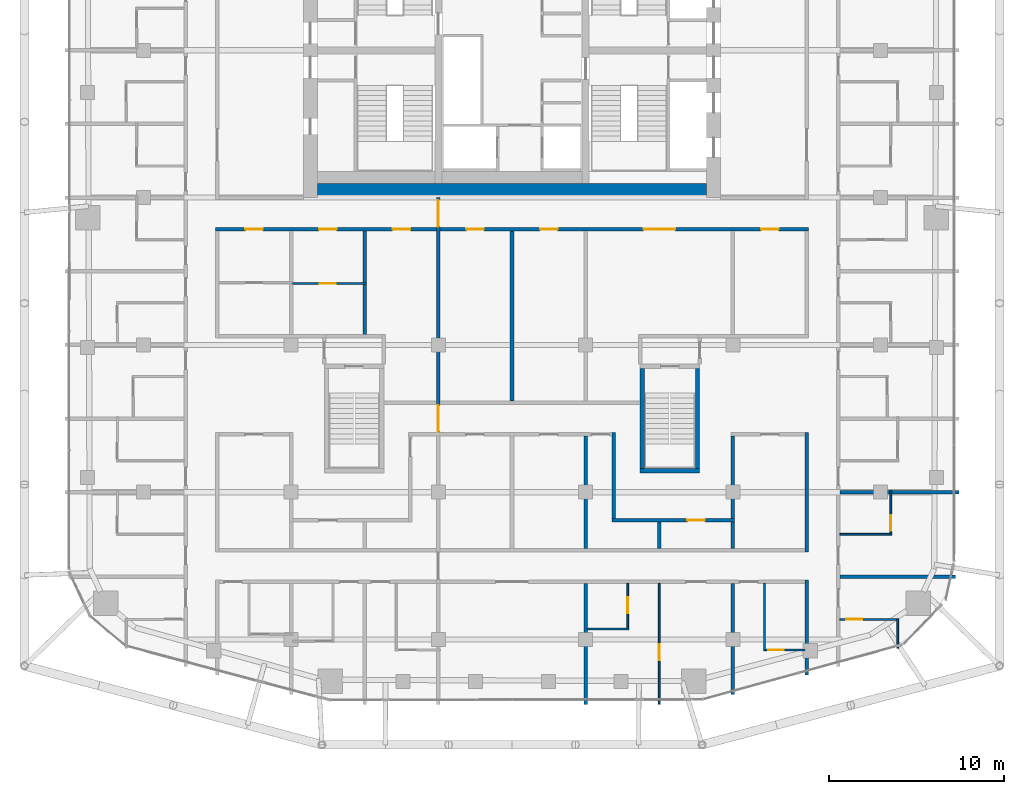
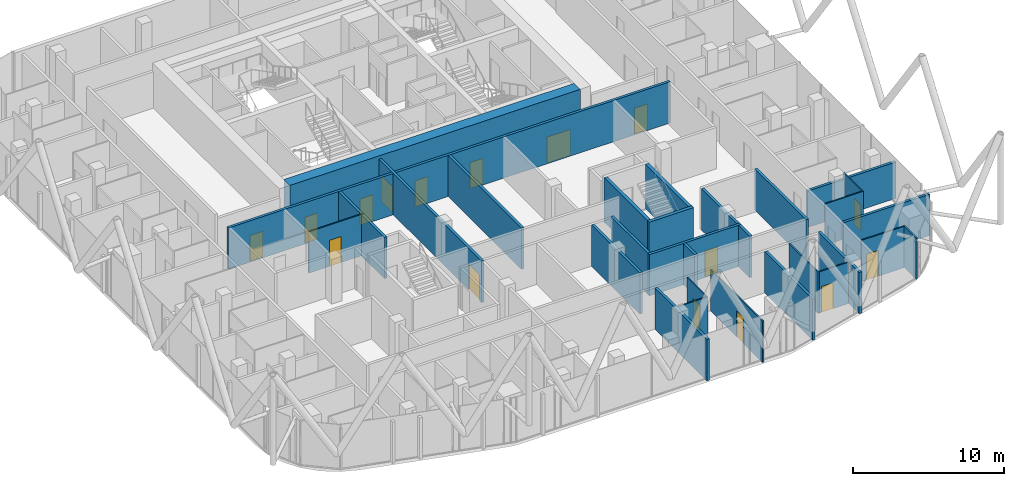
# One storey, part 25 of 31: 30 walls, 16 doors, 16 openings.
"""IFC4 building model written with IfcOpenShell, lengths in metres."""

from ifc_helpers import new_model, si_unit, direction, frame, frame_2d, origin, place, context, subcontext, project, spatial, rectangle, extrude, material, layer, layer_set, type_object, element, fill, save


model = new_model("IFC4")

# Units and contexts
model_context = context("Model", 3, precision=1e-05, world=origin(), true_north=direction((0.0, 1.0)))
body_context = subcontext(model_context, "Body", "Model", "MODEL_VIEW")
ifc_project = project(units=[si_unit("LENGTHUNIT", "METRE"), si_unit("AREAUNIT", "SQUARE_METRE"), si_unit("VOLUMEUNIT", "CUBIC_METRE"), si_unit("PLANEANGLEUNIT", "RADIAN"), si_unit("MASSUNIT", "GRAM", prefix="KILO")], contexts=[model_context])

# Site, building, storey
site_placement = place(None, origin())
site = spatial("IfcSite", under=ifc_project, at=site_placement, CompositionType="ELEMENT")
building_placement = place(site_placement, origin())
building = spatial("IfcBuilding", under=site, at=building_placement, Name="Marenta Gate Hotel Tower", CompositionType="ELEMENT")
storey_placement = place(building_placement, frame((0.0, 0.0, 191.300048828125)))
storey = spatial("IfcBuildingStorey", under=building, at=storey_placement, Name="L43", CompositionType="ELEMENT", Elevation=191.300048828125)

# Wall, openings, doors
ifc_material_1 = material(Name="Concrete blockwork", Category="masonry")
ifc_layer_1 = layer(ifc_material_1, 0.199951171875)
ifc_layer_set_1 = layer_set([ifc_layer_1], Name="Concrete blockwork")
wall_type_1 = type_object("IfcWallType", Name="Compartment wall 200 REI 180", PredefinedType="PARTITIONING", material=ifc_layer_set_1)
wall_1_placement = place(storey_placement, frame((-4.199951171875, -13.60009765625, 0.0), z_axis=(0.0, 0.0, 1.0), x_axis=(0.0, 1.0, 0.0)))
wall_1 = element("IfcWall", 1, at=wall_1_placement, inside=storey, type_object=wall_type_1, Name="L43-PTN-W081", PredefinedType="PARTITIONING", context=body_context, shape_type="SweptSolid", body=[
    extrude(rectangle(XDim=13.60009765625, YDim=0.199951171875, at=frame_2d((6.800048828125, 0.0))), origin(), (0.0, 0.0, 1.0), 3.33984375),
])
opening_1_placement = place(wall_1_placement, frame((11.949951171875, 0.0, 0.0)))
opening_1 = element("IfcOpeningElement", 2, at=opening_1_placement, cuts=wall_1, Name="Opening G15-FD2", PredefinedType="OPENING", context=body_context, shape_type="SweptSolid", body=[
    extrude(rectangle(XDim=1.5, YDim=2.10009765625, at=frame_2d((0.75, 1.050048828125))), frame((0.0, 0.10009765625, 0.0), z_axis=(0.0, -1.0, 0.0), x_axis=(1.0, 0.0, 0.0)), (0.0, 0.0, 1.0), 0.199951171875),
])
opening_2_placement = place(wall_1_placement, frame((0.25, 0.0, 0.0)))
opening_2 = element("IfcOpeningElement", 3, at=opening_2_placement, cuts=wall_1, Name="Opening G15-FD3", PredefinedType="OPENING", context=body_context, shape_type="SweptSolid", body=[
    extrude(rectangle(XDim=1.5, YDim=2.10009765625, at=frame_2d((0.75, 1.050048828125))), frame((0.0, 0.10009765625, 0.0), z_axis=(0.0, -1.0, 0.0), x_axis=(1.0, 0.0, 0.0)), (0.0, 0.0, 1.0), 0.199951171875),
])
ifc_material_2 = material(Name="Hollow steel door set", Category="steel")
door_type_1 = type_object("IfcDoorType", Name="Compartment fire door 1500x2100 EI 60", OperationType="DOUBLE_DOOR_DOUBLE_SWING", PredefinedType="DOOR", material=ifc_material_2)
door_1_placement = place(opening_1_placement, origin())
door_1 = element("IfcDoor", 4, at=door_1_placement, inside=storey, type_object=door_type_1, Name="L43-PD-FD02", OperationType="DOUBLE_DOOR_DOUBLE_SWING", OverallHeight=2.10009765625, OverallWidth=1.5, PredefinedType="DOOR", context=body_context, shape_type="SweptSolid", body=[
    extrude(rectangle(XDim=1.5, YDim=2.10009765625, at=frame_2d((0.75, 1.050048828125))), frame((0.0, 0.02490234375, 0.0), z_axis=(0.0, -1.0, 0.0), x_axis=(1.0, 0.0, 0.0)), (0.0, 0.0, 1.0), 0.050048828125),
])
fill(opening_1, door_1)
door_2_placement = place(opening_2_placement, origin())
door_2 = element("IfcDoor", 5, at=door_2_placement, inside=storey, type_object=door_type_1, Name="L43-PD-FD03", OperationType="DOUBLE_DOOR_DOUBLE_SWING", OverallHeight=2.10009765625, OverallWidth=1.5, PredefinedType="DOOR", context=body_context, shape_type="SweptSolid", body=[
    extrude(rectangle(XDim=1.5, YDim=2.10009765625, at=frame_2d((0.75, 1.050048828125))), frame((0.0, 0.02490234375, 0.0), z_axis=(0.0, -1.0, 0.0), x_axis=(1.0, 0.0, 0.0)), (0.0, 0.0, 1.0), 0.050048828125),
])
fill(opening_2, door_2)

# Walls
ifc_material_3 = material(Name="Concrete C60", Category="concrete")
ifc_layer_2 = layer(ifc_material_3, 0.800048828125)
ifc_layer_set_2 = layer_set([ifc_layer_2], Name="Concrete C60")
wall_type_2 = type_object("IfcWallType", Name="Core wall 800 C60", PredefinedType="SHEAR", material=ifc_layer_set_2)
wall_2_placement = place(storey_placement, frame((-11.10009765625, 0.39990234375, 0.0), z_axis=(0.0, 0.0, 1.0), x_axis=(1.0, 0.0, 0.0)))
element("IfcWall", 6, at=wall_2_placement, inside=storey, type_object=wall_type_2, Name="L43-CORE-S", PredefinedType="SHEAR", context=body_context, shape_type="SweptSolid", body=[
    extrude(rectangle(XDim=22.2001953125, YDim=0.800048828125, at=frame_2d((11.10009765625, 0.0))), origin(), (0.0, 0.0, 1.0), 3.599853515625),
])
ifc_material_4 = material(Name="Concrete C40", Category="concrete")
ifc_layer_3 = layer(ifc_material_4, 0.25)
ifc_layer_set_3 = layer_set([ifc_layer_3], Name="Concrete C40")
wall_type_3 = type_object("IfcWallType", Name="Remote stair enclosure wall 250 REI 180", PredefinedType="SHEAR", material=ifc_layer_set_3)
wall_3_placement = place(storey_placement, frame((7.300048828125, -15.574951171875, 0.099853515625), z_axis=(0.0, 0.0, 1.0), x_axis=(1.0, 0.0, 0.0)))
element("IfcWall", 7, at=wall_3_placement, inside=storey, type_object=wall_type_3, Name="L43-RS-Z3-2-W1", PredefinedType="SHEAR", context=body_context, shape_type="SweptSolid", body=[
    extrude(rectangle(XDim=3.39990234375, YDim=0.25, at=frame_2d((1.699951171875, 0.0))), origin(), (0.0, 0.0, 1.0), 3.60009765625),
])
for number, where, z_axis, x_axis, name in (
    (8, (7.425048828125, -15.449951171875, 0.099853515625), (0.0, 0.0, 1.0), (0.0, 1.0, 0.0), "L43-RS-Z3-2-W3"),
    (9, (10.574951171875, -15.449951171875, 0.099853515625), (0.0, 0.0, 1.0), (0.0, 1.0, 0.0), "L43-RS-Z3-2-W4"),
):
    element("IfcWall", number, at=place(storey_placement, frame(where, z_axis=z_axis, x_axis=x_axis)), inside=storey, type_object=wall_type_3, Name=name, PredefinedType="SHEAR", context=body_context, shape_type="SweptSolid", body=[
        extrude(rectangle(XDim=5.699951171875, YDim=0.25, at=frame_2d((2.85009765625, 0.0))), origin(), (0.0, 0.0, 1.0), 3.60009765625),
    ])

# Wall, openings, doors
ifc_material_5 = material(Name="Concrete blockwork", Category="masonry")
ifc_layer_4 = layer(ifc_material_5, 0.199951171875)
ifc_layer_set_4 = layer_set([ifc_layer_4], Name="Concrete blockwork")
wall_type_4 = type_object("IfcWallType", Name="Room corridor wall 200 EI 120", PredefinedType="PARTITIONING", material=ifc_layer_set_4)
wall_4_placement = place(storey_placement, frame((-16.89990234375, -1.800048828125, 0.0), z_axis=(0.0, 0.0, 1.0), x_axis=(1.0, 0.0, 0.0)))
wall_4 = element("IfcWall", 10, at=wall_4_placement, inside=storey, type_object=wall_type_4, Name="L43-PTN-W072", PredefinedType="PARTITIONING", context=body_context, shape_type="SweptSolid", body=[
    extrude(rectangle(XDim=33.7998046875, YDim=0.199951171875, at=frame_2d((16.89990234375, 0.0))), origin(), (0.0, 0.0, 1.0), 3.33984375),
])
opening_3_placement = place(wall_4_placement, frame((1.699951171875, 0.0, 0.0)))
opening_3 = element("IfcOpeningElement", 11, at=opening_3_placement, cuts=wall_4, Name="Opening G15-01", PredefinedType="OPENING", context=body_context, shape_type="SweptSolid", body=[
    extrude(rectangle(XDim=1.0, YDim=2.10009765625, at=frame_2d((0.5, 1.050048828125))), frame((0.0, 0.10009765625, 0.0), z_axis=(0.0, -1.0, 0.0), x_axis=(1.0, 0.0, 0.0)), (0.0, 0.0, 1.0), 0.199951171875),
])
opening_4_placement = place(wall_4_placement, frame((5.89990234375, 0.0, 0.0)))
opening_4 = element("IfcOpeningElement", 12, at=opening_4_placement, cuts=wall_4, Name="Opening G15-03", PredefinedType="OPENING", context=body_context, shape_type="SweptSolid", body=[
    extrude(rectangle(XDim=1.0, YDim=2.10009765625, at=frame_2d((0.5, 1.050048828125))), frame((0.0, 0.10009765625, 0.0), z_axis=(0.0, -1.0, 0.0), x_axis=(1.0, 0.0, 0.0)), (0.0, 0.0, 1.0), 0.199951171875),
])
opening_5_placement = place(wall_4_placement, frame((10.10009765625, 0.0, 0.0)))
opening_5 = element("IfcOpeningElement", 13, at=opening_5_placement, cuts=wall_4, Name="Opening G15-05", PredefinedType="OPENING", context=body_context, shape_type="SweptSolid", body=[
    extrude(rectangle(XDim=1.0, YDim=2.10009765625, at=frame_2d((0.5, 1.050048828125))), frame((0.0, 0.10009765625, 0.0), z_axis=(0.0, -1.0, 0.0), x_axis=(1.0, 0.0, 0.0)), (0.0, 0.0, 1.0), 0.199951171875),
])
opening_6_placement = place(wall_4_placement, frame((14.300048828125, 0.0, 0.0)))
opening_6 = element("IfcOpeningElement", 14, at=opening_6_placement, cuts=wall_4, Name="Opening G15-06", PredefinedType="OPENING", context=body_context, shape_type="SweptSolid", body=[
    extrude(rectangle(XDim=1.0, YDim=2.10009765625, at=frame_2d((0.5, 1.050048828125))), frame((0.0, 0.10009765625, 0.0), z_axis=(0.0, -1.0, 0.0), x_axis=(1.0, 0.0, 0.0)), (0.0, 0.0, 1.0), 0.199951171875),
])
opening_7_placement = place(wall_4_placement, frame((18.5, 0.0, 0.0)))
opening_7 = element("IfcOpeningElement", 15, at=opening_7_placement, cuts=wall_4, Name="Opening G15-07", PredefinedType="OPENING", context=body_context, shape_type="SweptSolid", body=[
    extrude(rectangle(XDim=1.0, YDim=2.10009765625, at=frame_2d((0.5, 1.050048828125))), frame((0.0, 0.10009765625, 0.0), z_axis=(0.0, -1.0, 0.0), x_axis=(1.0, 0.0, 0.0)), (0.0, 0.0, 1.0), 0.199951171875),
])
opening_8_placement = place(wall_4_placement, frame((24.39990234375, 0.0, 0.0)))
opening_8 = element("IfcOpeningElement", 16, at=opening_8_placement, cuts=wall_4, Name="Opening G15-08", PredefinedType="OPENING", context=body_context, shape_type="SweptSolid", body=[
    extrude(rectangle(XDim=1.800048828125, YDim=2.10009765625, at=frame_2d((0.89990234375, 1.050048828125))), frame((0.0, 0.10009765625, 0.0), z_axis=(0.0, -1.0, 0.0), x_axis=(1.0, 0.0, 0.0)), (0.0, 0.0, 1.0), 0.199951171875),
])
opening_9_placement = place(wall_4_placement, frame((31.10009765625, 0.0, 0.0)))
opening_9 = element("IfcOpeningElement", 17, at=opening_9_placement, cuts=wall_4, Name="Opening G15-09", PredefinedType="OPENING", context=body_context, shape_type="SweptSolid", body=[
    extrude(rectangle(XDim=1.0, YDim=2.10009765625, at=frame_2d((0.5, 1.050048828125))), frame((0.0, 0.10009765625, 0.0), z_axis=(0.0, -1.0, 0.0), x_axis=(1.0, 0.0, 0.0)), (0.0, 0.0, 1.0), 0.199951171875),
])
ifc_material_6 = material(Name="Timber door leaf", Category="wood")
door_type_2 = type_object("IfcDoorType", Name="Room amenity door 1000x2100 EI 60", OperationType="NOTDEFINED", PredefinedType="DOOR", material=ifc_material_6)
door_3_placement = place(opening_5_placement, origin())
door_3 = element("IfcDoor", 18, at=door_3_placement, inside=storey, type_object=door_type_2, Name="L43-PD-D005", OperationType="SINGLE_SWING_RIGHT", OverallHeight=2.10009765625, OverallWidth=1.0, PredefinedType="DOOR", context=body_context, shape_type="SweptSolid", body=[
    extrude(rectangle(XDim=1.0, YDim=2.10009765625, at=frame_2d((0.5, 1.050048828125))), frame((0.0, 0.02490234375, 0.0), z_axis=(0.0, -1.0, 0.0), x_axis=(1.0, 0.0, 0.0)), (0.0, 0.0, 1.0), 0.050048828125),
])
fill(opening_5, door_3)
door_4_placement = place(opening_6_placement, origin())
door_4 = element("IfcDoor", 19, at=door_4_placement, inside=storey, type_object=door_type_2, Name="L43-PD-D006", OperationType="SINGLE_SWING_LEFT", OverallHeight=2.10009765625, OverallWidth=1.0, PredefinedType="DOOR", context=body_context, shape_type="SweptSolid", body=[
    extrude(rectangle(XDim=1.0, YDim=2.10009765625, at=frame_2d((0.5, 1.050048828125))), frame((0.0, 0.02490234375, 0.0), z_axis=(0.0, -1.0, 0.0), x_axis=(1.0, 0.0, 0.0)), (0.0, 0.0, 1.0), 0.050048828125),
])
fill(opening_6, door_4)
door_5_placement = place(opening_7_placement, origin())
door_5 = element("IfcDoor", 20, at=door_5_placement, inside=storey, type_object=door_type_2, Name="L43-PD-D007", OperationType="SINGLE_SWING_RIGHT", OverallHeight=2.10009765625, OverallWidth=1.0, PredefinedType="DOOR", context=body_context, shape_type="SweptSolid", body=[
    extrude(rectangle(XDim=1.0, YDim=2.10009765625, at=frame_2d((0.5, 1.050048828125))), frame((0.0, 0.02490234375, 0.0), z_axis=(0.0, -1.0, 0.0), x_axis=(1.0, 0.0, 0.0)), (0.0, 0.0, 1.0), 0.050048828125),
])
fill(opening_7, door_5)
door_6_placement = place(opening_9_placement, origin())
door_6 = element("IfcDoor", 21, at=door_6_placement, inside=storey, type_object=door_type_2, Name="L43-PD-D009", OperationType="SINGLE_SWING_RIGHT", OverallHeight=2.10009765625, OverallWidth=1.0, PredefinedType="DOOR", context=body_context, shape_type="SweptSolid", body=[
    extrude(rectangle(XDim=1.0, YDim=2.10009765625, at=frame_2d((0.5, 1.050048828125))), frame((0.0, 0.02490234375, 0.0), z_axis=(0.0, -1.0, 0.0), x_axis=(1.0, 0.0, 0.0)), (0.0, 0.0, 1.0), 0.050048828125),
])
fill(opening_9, door_6)
ifc_material_7 = material(Name="Timber door leaf", Category="wood")
door_type_3 = type_object("IfcDoorType", Name="Room amenity door 1800x2100 EI 60", OperationType="DOUBLE_DOOR_SINGLE_SWING", PredefinedType="DOOR", material=ifc_material_7)
door_7_placement = place(opening_8_placement, origin())
door_7 = element("IfcDoor", 22, at=door_7_placement, inside=storey, type_object=door_type_3, Name="L43-PD-D008", OperationType="DOUBLE_DOOR_SINGLE_SWING", OverallHeight=2.10009765625, OverallWidth=1.800048828125, PredefinedType="DOOR", context=body_context, shape_type="SweptSolid", body=[
    extrude(rectangle(XDim=1.800048828125, YDim=2.10009765625, at=frame_2d((0.89990234375, 1.050048828125))), frame((0.0, 0.02490234375, 0.0), z_axis=(0.0, -1.0, 0.0), x_axis=(1.0, 0.0, 0.0)), (0.0, 0.0, 1.0), 0.050048828125),
])
fill(opening_8, door_7)
ifc_material_8 = material(Name="Hollow steel door set", Category="steel")
door_type_4 = type_object("IfcDoorType", Name="Room service door 1000x2100 EI 60", OperationType="NOTDEFINED", PredefinedType="DOOR", material=ifc_material_8)
door_8_placement = place(opening_3_placement, origin())
door_8 = element("IfcDoor", 23, at=door_8_placement, inside=storey, type_object=door_type_4, Name="L43-PD-D001", OperationType="SINGLE_SWING_LEFT", OverallHeight=2.10009765625, OverallWidth=1.0, PredefinedType="DOOR", context=body_context, shape_type="SweptSolid", body=[
    extrude(rectangle(XDim=1.0, YDim=2.10009765625, at=frame_2d((0.5, 1.050048828125))), frame((0.0, 0.02490234375, 0.0), z_axis=(0.0, -1.0, 0.0), x_axis=(1.0, 0.0, 0.0)), (0.0, 0.0, 1.0), 0.050048828125),
])
fill(opening_3, door_8)
door_9_placement = place(opening_4_placement, origin())
door_9 = element("IfcDoor", 24, at=door_9_placement, inside=storey, type_object=door_type_4, Name="L43-PD-D003", OperationType="SINGLE_SWING_LEFT", OverallHeight=2.10009765625, OverallWidth=1.0, PredefinedType="DOOR", context=body_context, shape_type="SweptSolid", body=[
    extrude(rectangle(XDim=1.0, YDim=2.10009765625, at=frame_2d((0.5, 1.050048828125))), frame((0.0, 0.02490234375, 0.0), z_axis=(0.0, -1.0, 0.0), x_axis=(1.0, 0.0, 0.0)), (0.0, 0.0, 1.0), 0.050048828125),
])
fill(opening_4, door_9)

# Wall, opening, door
ifc_material_9 = material(Name="Gypsum board on steel stud", Category="steel")
ifc_layer_5 = layer(ifc_material_9, 0.199951171875)
ifc_layer_set_5 = layer_set([ifc_layer_5], Name="Gypsum board on steel stud")
wall_type_5 = type_object("IfcWallType", Name="Room corridor wall 200 EI 60", PredefinedType="PARTITIONING", material=ifc_layer_set_5)
wall_5_placement = place(storey_placement, frame((5.699951171875, -18.39990234375, 0.0), z_axis=(0.0, 0.0, 1.0), x_axis=(1.0, 0.0, 0.0)))
wall_5 = element("IfcWall", 25, at=wall_5_placement, inside=storey, type_object=wall_type_5, Name="L43-PTN-W025", PredefinedType="PARTITIONING", context=body_context, shape_type="SweptSolid", body=[
    extrude(rectangle(XDim=7.0, YDim=0.199951171875, at=frame_2d((3.5, 0.0))), origin(), (0.0, 0.0, 1.0), 3.33984375),
])
opening_10_placement = place(wall_5_placement, frame((4.300048828125, 0.0, 0.0)))
opening_10 = element("IfcOpeningElement", 26, at=opening_10_placement, cuts=wall_5, Name="Opening G15-16", PredefinedType="OPENING", context=body_context, shape_type="SweptSolid", body=[
    extrude(rectangle(XDim=1.0, YDim=2.10009765625, at=frame_2d((0.5, 1.050048828125))), frame((0.0, 0.10009765625, 0.0), z_axis=(0.0, -1.0, 0.0), x_axis=(1.0, 0.0, 0.0)), (0.0, 0.0, 1.0), 0.199951171875),
])
ifc_material_10 = material(Name="Timber door leaf", Category="wood")
door_type_5 = type_object("IfcDoorType", Name="Room amenity door 1000x2100 EI 30", OperationType="NOTDEFINED", PredefinedType="DOOR", material=ifc_material_10)
door_10_placement = place(opening_10_placement, origin())
door_10 = element("IfcDoor", 27, at=door_10_placement, inside=storey, type_object=door_type_5, Name="L43-PD-D016", OperationType="SINGLE_SWING_LEFT", OverallHeight=2.10009765625, OverallWidth=1.0, PredefinedType="DOOR", context=body_context, shape_type="SweptSolid", body=[
    extrude(rectangle(XDim=1.0, YDim=2.10009765625, at=frame_2d((0.5, 1.050048828125))), frame((0.0, 0.02490234375, 0.0), z_axis=(0.0, -1.0, 0.0), x_axis=(1.0, 0.0, 0.0)), (0.0, 0.0, 1.0), 0.050048828125),
])
fill(opening_10, door_10)

# Walls
wall_6_placement = place(storey_placement, frame((16.800048828125, -27.22900390625, 0.0), z_axis=(0.0, 0.0, 1.0), x_axis=(0.0, 1.0, 0.0)))
element("IfcWall", 28, at=wall_6_placement, inside=storey, type_object=wall_type_5, Name="L43-PTN-W026", PredefinedType="PARTITIONING", context=body_context, shape_type="SweptSolid", body=[
    extrude(rectangle(XDim=5.428955078125, YDim=0.199951171875, at=frame_2d((2.71435546875, 0.0))), origin(), (0.0, 0.0, 1.0), 3.33984375),
])
wall_7_placement = place(storey_placement, frame((16.800048828125, -20.199951171875, 0.0), z_axis=(0.0, 0.0, 1.0), x_axis=(0.0, 1.0, 0.0)))
element("IfcWall", 29, at=wall_7_placement, inside=storey, type_object=wall_type_5, Name="L43-PTN-W027", PredefinedType="PARTITIONING", context=body_context, shape_type="SweptSolid", body=[
    extrude(rectangle(XDim=6.800048828125, YDim=0.199951171875, at=frame_2d((3.39990234375, 0.0))), origin(), (0.0, 0.0, 1.0), 3.33984375),
])
wall_8_placement = place(storey_placement, frame((12.60009765625, -18.300048828125, 0.0), z_axis=(0.0, 0.0, 1.0), x_axis=(0.0, 1.0, 0.0)))
element("IfcWall", 30, at=wall_8_placement, inside=storey, type_object=wall_type_5, Name="L43-PTN-W042", PredefinedType="PARTITIONING", context=body_context, shape_type="SweptSolid", body=[
    extrude(rectangle(XDim=4.699951171875, YDim=0.199951171875, at=frame_2d((2.35009765625, 0.0))), origin(), (0.0, 0.0, 1.0), 3.33984375),
])
wall_9_placement = place(storey_placement, frame((5.800048828125, -18.300048828125, 0.0), z_axis=(0.0, 0.0, 1.0), x_axis=(0.0, 1.0, 0.0)))
element("IfcWall", 31, at=wall_9_placement, inside=storey, type_object=wall_type_5, Name="L43-PTN-W061", PredefinedType="PARTITIONING", context=body_context, shape_type="SweptSolid", body=[
    extrude(rectangle(XDim=4.900146484375, YDim=0.199951171875, at=frame_2d((2.4501953125, 0.0))), origin(), (0.0, 0.0, 1.0), 3.33984375),
])

# Wall, opening, door
ifc_material_11 = material(Name="Gypsum board on steel stud", Category="steel")
ifc_layer_6 = layer(ifc_material_11, 0.10009765625)
ifc_layer_set_6 = layer_set([ifc_layer_6], Name="Gypsum board on steel stud")
wall_type_6 = type_object("IfcWallType", Name="Room partition 100", PredefinedType="PARTITIONING", material=ifc_layer_set_6)
wall_10_placement = place(storey_placement, frame((14.449951171875, -25.800048828125, 0.0), z_axis=(0.0, 0.0, 1.0), x_axis=(1.0, 0.0, 0.0)))
wall_10 = element("IfcWall", 32, at=wall_10_placement, inside=storey, type_object=wall_type_6, Name="L43-PTN-W002", PredefinedType="PARTITIONING", context=body_context, shape_type="SweptSolid", body=[
    extrude(rectangle(XDim=2.25, YDim=0.10009765625, at=frame_2d((1.125, 0.0))), origin(), (0.0, 0.0, 1.0), 3.33984375),
])
opening_11_placement = place(wall_10_placement, frame((0.14990234375, 0.0, 0.0)))
opening_11 = element("IfcOpeningElement", 33, at=opening_11_placement, cuts=wall_10, Name="Opening G15-53", PredefinedType="OPENING", context=body_context, shape_type="SweptSolid", body=[
    extrude(rectangle(XDim=0.89990234375, YDim=2.10009765625, at=frame_2d((0.449951171875, 1.050048828125))), frame((0.0, 0.050048828125, 0.0), z_axis=(0.0, -1.0, 0.0), x_axis=(1.0, 0.0, 0.0)), (0.0, 0.0, 1.0), 0.10009765625),
])
ifc_material_12 = material(Name="Timber door leaf", Category="wood")
door_type_6 = type_object("IfcDoorType", Name="Guest bathroom door 900x2100", OperationType="NOTDEFINED", PredefinedType="DOOR", material=ifc_material_12)
door_11_placement = place(opening_11_placement, origin())
door_11 = element("IfcDoor", 34, at=door_11_placement, inside=storey, type_object=door_type_6, Name="L43-PD-D053", OperationType="SINGLE_SWING_LEFT", OverallHeight=2.10009765625, OverallWidth=0.89990234375, PredefinedType="DOOR", context=body_context, shape_type="SweptSolid", body=[
    extrude(rectangle(XDim=0.89990234375, YDim=2.10009765625, at=frame_2d((0.449951171875, 1.050048828125))), frame((0.0, 0.02490234375, 0.0), z_axis=(0.0, -1.0, 0.0), x_axis=(1.0, 0.0, 0.0)), (0.0, 0.0, 1.0), 0.050048828125),
])
fill(opening_11, door_11)

# Wall
wall_11_placement = place(storey_placement, frame((4.300048828125, -24.60009765625, 0.0), z_axis=(0.0, 0.0, 1.0), x_axis=(1.0, 0.0, 0.0)))
element("IfcWall", 35, at=wall_11_placement, inside=storey, type_object=wall_type_6, Name="L43-PTN-W005", PredefinedType="PARTITIONING", context=body_context, shape_type="SweptSolid", body=[
    extrude(rectangle(XDim=2.349853515625, YDim=0.10009765625, at=frame_2d((1.1748046875, 0.0))), origin(), (0.0, 0.0, 1.0), 3.33984375),
])

# Wall, opening, door
wall_12_placement = place(storey_placement, frame((18.699951171875, -24.051025390625, 0.0), z_axis=(0.0, 0.0, 1.0), x_axis=(1.0, 0.0, 0.0)))
wall_12 = element("IfcWall", 36, at=wall_12_placement, inside=storey, type_object=wall_type_6, Name="L43-PTN-W007", PredefinedType="PARTITIONING", context=body_context, shape_type="SweptSolid", body=[
    extrude(rectangle(XDim=3.25, YDim=0.10009765625, at=frame_2d((1.625, 0.0))), origin(), (0.0, 0.0, 1.0), 3.33984375),
])
opening_12_placement = place(wall_12_placement, frame((0.3701171875, 0.0, 0.0)))
opening_12 = element("IfcOpeningElement", 37, at=opening_12_placement, cuts=wall_12, Name="Opening G15-19", PredefinedType="OPENING", context=body_context, shape_type="SweptSolid", body=[
    extrude(rectangle(XDim=0.89990234375, YDim=2.10009765625, at=frame_2d((0.449951171875, 1.050048828125))), frame((0.0, 0.050048828125, 0.0), z_axis=(0.0, -1.0, 0.0), x_axis=(1.0, 0.0, 0.0)), (0.0, 0.0, 1.0), 0.10009765625),
])
door_12_placement = place(opening_12_placement, origin())
door_12 = element("IfcDoor", 38, at=door_12_placement, inside=storey, type_object=door_type_6, Name="L43-PD-D019", OperationType="SINGLE_SWING_RIGHT", OverallHeight=2.10009765625, OverallWidth=0.89990234375, PredefinedType="DOOR", context=body_context, shape_type="SweptSolid", body=[
    extrude(rectangle(XDim=0.89990234375, YDim=2.10009765625, at=frame_2d((0.449951171875, 1.050048828125))), frame((0.0, 0.02490234375, 0.0), z_axis=(0.0, -1.0, 0.0), x_axis=(1.0, 0.0, 0.0)), (0.0, 0.0, 1.0), 0.050048828125),
])
fill(opening_12, door_12)

# Wall
wall_13_placement = place(storey_placement, frame((22.0, -25.68505859375, 0.0), z_axis=(0.0, 0.0, 1.0), x_axis=(0.0, 1.0, 0.0)))
element("IfcWall", 39, at=wall_13_placement, inside=storey, type_object=wall_type_6, Name="L43-PTN-W009", PredefinedType="PARTITIONING", context=body_context, shape_type="SweptSolid", body=[
    extrude(rectangle(XDim=1.68408203125, YDim=0.10009765625, at=frame_2d((0.842041015625, 0.0))), origin(), (0.0, 0.0, 1.0), 3.33984375),
])

# Wall, opening, door
wall_14_placement = place(storey_placement, frame((21.60009765625, -19.14990234375, 0.0), z_axis=(0.0, 0.0, 1.0), x_axis=(0.0, 1.0, 0.0)))
wall_14 = element("IfcWall", 40, at=wall_14_placement, inside=storey, type_object=wall_type_6, Name="L43-PTN-W016", PredefinedType="PARTITIONING", context=body_context, shape_type="SweptSolid", body=[
    extrude(rectangle(XDim=2.449951171875, YDim=0.10009765625, at=frame_2d((1.22509765625, 0.0))), origin(), (0.0, 0.0, 1.0), 3.33984375),
])
opening_13_placement = place(wall_14_placement, frame((0.14990234375, 0.0, 0.0)))
opening_13 = element("IfcOpeningElement", 41, at=opening_13_placement, cuts=wall_14, Name="Opening G15-21", PredefinedType="OPENING", context=body_context, shape_type="SweptSolid", body=[
    extrude(rectangle(XDim=0.89990234375, YDim=2.10009765625, at=frame_2d((0.449951171875, 1.050048828125))), frame((0.0, 0.050048828125, 0.0), z_axis=(0.0, -1.0, 0.0), x_axis=(1.0, 0.0, 0.0)), (0.0, 0.0, 1.0), 0.10009765625),
])
door_13_placement = place(opening_13_placement, origin())
door_13 = element("IfcDoor", 42, at=door_13_placement, inside=storey, type_object=door_type_6, Name="L43-PD-D021", OperationType="SINGLE_SWING_LEFT", OverallHeight=2.10009765625, OverallWidth=0.89990234375, PredefinedType="DOOR", context=body_context, shape_type="SweptSolid", body=[
    extrude(rectangle(XDim=0.89990234375, YDim=2.10009765625, at=frame_2d((0.449951171875, 1.050048828125))), frame((0.0, 0.02490234375, 0.0), z_axis=(0.0, -1.0, 0.0), x_axis=(1.0, 0.0, 0.0)), (0.0, 0.0, 1.0), 0.050048828125),
])
fill(opening_13, door_13)

# Walls
wall_15_placement = place(storey_placement, frame((18.699951171875, -19.199951171875, 0.0), z_axis=(0.0, 0.0, 1.0), x_axis=(1.0, 0.0, 0.0)))
element("IfcWall", 43, at=wall_15_placement, inside=storey, type_object=wall_type_6, Name="L43-PTN-W022", PredefinedType="PARTITIONING", context=body_context, shape_type="SweptSolid", body=[
    extrude(rectangle(XDim=2.949951171875, YDim=0.10009765625, at=frame_2d((1.47509765625, 0.0))), origin(), (0.0, 0.0, 1.0), 3.33984375),
])
wall_16_placement = place(storey_placement, frame((14.39990234375, -25.85009765625, 0.0), z_axis=(0.0, 0.0, 1.0), x_axis=(0.0, 1.0, 0.0)))
element("IfcWall", 44, at=wall_16_placement, inside=storey, type_object=wall_type_6, Name="L43-PTN-W034", PredefinedType="PARTITIONING", context=body_context, shape_type="SweptSolid", body=[
    extrude(rectangle(XDim=3.85009765625, YDim=0.10009765625, at=frame_2d((1.925048828125, 0.0))), origin(), (0.0, 0.0, 1.0), 3.33984375),
])

# Wall, opening, door
wall_17_placement = place(storey_placement, frame((8.39990234375, -28.89990234375, 0.0), z_axis=(0.0, 0.0, 1.0), x_axis=(0.0, 1.0, 0.0)))
wall_17 = element("IfcWall", 45, at=wall_17_placement, inside=storey, type_object=wall_type_6, Name="L43-PTN-W049", PredefinedType="PARTITIONING", context=body_context, shape_type="SweptSolid", body=[
    extrude(rectangle(XDim=6.89990234375, YDim=0.10009765625, at=frame_2d((3.449951171875, 0.0))), origin(), (0.0, 0.0, 1.0), 3.33984375),
])
opening_14_placement = place(wall_17_placement, frame((2.530029296875, 0.0, 0.0)))
opening_14 = element("IfcOpeningElement", 46, at=opening_14_placement, cuts=wall_17, Name="Opening G15-50", PredefinedType="OPENING", context=body_context, shape_type="SweptSolid", body=[
    extrude(rectangle(XDim=0.89990234375, YDim=2.10009765625, at=frame_2d((0.449951171875, 1.050048828125))), frame((0.0, 0.050048828125, 0.0), z_axis=(0.0, -1.0, 0.0), x_axis=(1.0, 0.0, 0.0)), (0.0, 0.0, 1.0), 0.10009765625),
])
ifc_material_13 = material(Name="Timber door leaf", Category="wood")
door_type_7 = type_object("IfcDoorType", Name="Room inner door 900x2100", OperationType="NOTDEFINED", PredefinedType="DOOR", material=ifc_material_13)
door_14_placement = place(opening_14_placement, origin())
door_14 = element("IfcDoor", 47, at=door_14_placement, inside=storey, type_object=door_type_7, Name="L43-PD-D050", OperationType="SINGLE_SWING_LEFT", OverallHeight=2.10009765625, OverallWidth=0.89990234375, PredefinedType="DOOR", context=body_context, shape_type="SweptSolid", body=[
    extrude(rectangle(XDim=0.89990234375, YDim=2.10009765625, at=frame_2d((0.449951171875, 1.050048828125))), frame((0.0, 0.02490234375, 0.0), z_axis=(0.0, -1.0, 0.0), x_axis=(1.0, 0.0, 0.0)), (0.0, 0.0, 1.0), 0.050048828125),
])
fill(opening_14, door_14)

wall_18_placement = place(storey_placement, frame((6.60009765625, -24.550048828125, 0.0), z_axis=(0.0, 0.0, 1.0), x_axis=(0.0, 1.0, 0.0)))
wall_18 = element("IfcWall", 48, at=wall_18_placement, inside=storey, type_object=wall_type_6, Name="L43-PTN-W058", PredefinedType="PARTITIONING", context=body_context, shape_type="SweptSolid", body=[
    extrude(rectangle(XDim=2.550048828125, YDim=0.10009765625, at=frame_2d((1.27490234375, 0.0))), origin(), (0.0, 0.0, 1.0), 3.33984375),
])
opening_15_placement = place(wall_18_placement, frame((0.85009765625, 0.0, 0.0)))
opening_15 = element("IfcOpeningElement", 49, at=opening_15_placement, cuts=wall_18, Name="Opening G15-51", PredefinedType="OPENING", context=body_context, shape_type="SweptSolid", body=[
    extrude(rectangle(XDim=0.89990234375, YDim=2.10009765625, at=frame_2d((0.449951171875, 1.050048828125))), frame((0.0, 0.050048828125, 0.0), z_axis=(0.0, -1.0, 0.0), x_axis=(1.0, 0.0, 0.0)), (0.0, 0.0, 1.0), 0.10009765625),
])
door_15_placement = place(opening_15_placement, origin())
door_15 = element("IfcDoor", 50, at=door_15_placement, inside=storey, type_object=door_type_6, Name="L43-PD-D051", OperationType="SINGLE_SWING_RIGHT", OverallHeight=2.10009765625, OverallWidth=0.89990234375, PredefinedType="DOOR", context=body_context, shape_type="SweptSolid", body=[
    extrude(rectangle(XDim=0.89990234375, YDim=2.10009765625, at=frame_2d((0.449951171875, 1.050048828125))), frame((0.0, 0.02490234375, 0.0), z_axis=(0.0, -1.0, 0.0), x_axis=(1.0, 0.0, 0.0)), (0.0, 0.0, 1.0), 0.050048828125),
])
fill(opening_15, door_15)

wall_19_placement = place(storey_placement, frame((-12.5, -4.89990234375, 0.0), z_axis=(0.0, 0.0, 1.0), x_axis=(1.0, 0.0, 0.0)))
wall_19 = element("IfcWall", 51, at=wall_19_placement, inside=storey, type_object=wall_type_6, Name="L43-PTN-W062", PredefinedType="PARTITIONING", context=body_context, shape_type="SweptSolid", body=[
    extrude(rectangle(XDim=4.199951171875, YDim=0.10009765625, at=frame_2d((2.10009765625, 0.0))), origin(), (0.0, 0.0, 1.0), 3.33984375),
])
opening_16_placement = place(wall_19_placement, frame((1.550048828125, 0.0, 0.0)))
opening_16 = element("IfcOpeningElement", 52, at=opening_16_placement, cuts=wall_19, Name="Opening G15-04", PredefinedType="OPENING", context=body_context, shape_type="SweptSolid", body=[
    extrude(rectangle(XDim=0.89990234375, YDim=2.10009765625, at=frame_2d((0.449951171875, 1.050048828125))), frame((0.0, 0.050048828125, 0.0), z_axis=(0.0, -1.0, 0.0), x_axis=(1.0, 0.0, 0.0)), (0.0, 0.0, 1.0), 0.10009765625),
])
door_16_placement = place(opening_16_placement, origin())
door_16 = element("IfcDoor", 53, at=door_16_placement, inside=storey, type_object=door_type_7, Name="L43-PD-D004", OperationType="SINGLE_SWING_RIGHT", OverallHeight=2.10009765625, OverallWidth=0.89990234375, PredefinedType="DOOR", context=body_context, shape_type="SweptSolid", body=[
    extrude(rectangle(XDim=0.89990234375, YDim=2.10009765625, at=frame_2d((0.449951171875, 1.050048828125))), frame((0.0, 0.02490234375, 0.0), z_axis=(0.0, -1.0, 0.0), x_axis=(1.0, 0.0, 0.0)), (0.0, 0.0, 1.0), 0.050048828125),
])
fill(opening_16, door_16)

# Walls
ifc_material_14 = material(Name="Concrete blockwork", Category="masonry")
ifc_layer_7 = layer(ifc_material_14, 0.199951171875)
ifc_layer_set_7 = layer_set([ifc_layer_7], Name="Concrete blockwork")
wall_type_7 = type_object("IfcWallType", Name="Room party wall 200 EI 120", PredefinedType="PARTITIONING", material=ifc_layer_set_7)
wall_20_placement = place(storey_placement, frame((-8.39990234375, -8.0, 0.0), z_axis=(0.0, 0.0, 1.0), x_axis=(0.0, 1.0, 0.0)))
element("IfcWall", 54, at=wall_20_placement, inside=storey, type_object=wall_type_7, Name="L43-PTN-W092", PredefinedType="PARTITIONING", context=body_context, shape_type="SweptSolid", body=[
    extrude(rectangle(XDim=6.10009765625, YDim=0.199951171875, at=frame_2d((3.050048828125, 0.0))), origin(), (0.0, 0.0, 1.0), 3.33984375),
])
ifc_material_15 = material(Name="Gypsum board on steel stud", Category="steel")
ifc_layer_8 = layer(ifc_material_15, 0.199951171875)
ifc_layer_set_8 = layer_set([ifc_layer_8], Name="Gypsum board on steel stud")
wall_type_8 = type_object("IfcWallType", Name="Room party wall 200 EI 60", PredefinedType="PARTITIONING", material=ifc_layer_set_8)
wall_21_placement = place(storey_placement, frame((18.699951171875, -21.625, 0.0), z_axis=(0.0, 0.0, 1.0), x_axis=(1.0, 0.0, 0.0)))
element("IfcWall", 55, at=wall_21_placement, inside=storey, type_object=wall_type_8, Name="L43-PTN-W015", PredefinedType="PARTITIONING", context=body_context, shape_type="SweptSolid", body=[
    extrude(rectangle(XDim=6.575927734375, YDim=0.199951171875, at=frame_2d((3.2880859375, 0.0))), origin(), (0.0, 0.0, 1.0), 3.33984375),
])
wall_22_placement = place(storey_placement, frame((18.699951171875, -16.800048828125, 0.0), z_axis=(0.0, 0.0, 1.0), x_axis=(1.0, 0.0, 0.0)))
element("IfcWall", 56, at=wall_22_placement, inside=storey, type_object=wall_type_8, Name="L43-PTN-W031", PredefinedType="PARTITIONING", context=body_context, shape_type="SweptSolid", body=[
    extrude(rectangle(XDim=6.800048828125, YDim=0.199951171875, at=frame_2d((3.39990234375, 0.0))), origin(), (0.0, 0.0, 1.0), 2.93994140625),
])
wall_23_placement = place(storey_placement, frame((12.60009765625, -28.343017578125, 0.0), z_axis=(0.0, 0.0, 1.0), x_axis=(0.0, 1.0, 0.0)))
element("IfcWall", 57, at=wall_23_placement, inside=storey, type_object=wall_type_8, Name="L43-PTN-W038", PredefinedType="PARTITIONING", context=body_context, shape_type="SweptSolid", body=[
    extrude(rectangle(XDim=6.343017578125, YDim=0.199951171875, at=frame_2d((3.17138671875, 0.0))), origin(), (0.0, 0.0, 1.0), 3.33984375),
])
for number, where, z_axis, x_axis, name in (
    (58, (12.60009765625, -20.0, 0.0), (0.0, 0.0, 1.0), (0.0, 1.0, 0.0), "L43-PTN-W039"),
    (59, (8.39990234375, -20.0, 0.0), (0.0, 0.0, 1.0), (0.0, 1.0, 0.0), "L43-PTN-W050"),
):
    element("IfcWall", number, at=place(storey_placement, frame(where, z_axis=z_axis, x_axis=x_axis)), inside=storey, type_object=wall_type_8, Name=name, PredefinedType="PARTITIONING", context=body_context, shape_type="SweptSolid", body=[
        extrude(rectangle(XDim=1.5, YDim=0.199951171875, at=frame_2d((0.75, 0.0))), origin(), (0.0, 0.0, 1.0), 3.33984375),
    ])
wall_24_placement = place(storey_placement, frame((4.199951171875, -28.89990234375, 0.0), z_axis=(0.0, 0.0, 1.0), x_axis=(0.0, 1.0, 0.0)))
element("IfcWall", 60, at=wall_24_placement, inside=storey, type_object=wall_type_8, Name="L43-PTN-W064", PredefinedType="PARTITIONING", context=body_context, shape_type="SweptSolid", body=[
    extrude(rectangle(XDim=6.89990234375, YDim=0.199951171875, at=frame_2d((3.449951171875, 0.0))), origin(), (0.0, 0.0, 1.0), 3.33984375),
])
wall_25_placement = place(storey_placement, frame((4.199951171875, -20.0, 0.0), z_axis=(0.0, 0.0, 1.0), x_axis=(0.0, 1.0, 0.0)))
element("IfcWall", 61, at=wall_25_placement, inside=storey, type_object=wall_type_8, Name="L43-PTN-W065", PredefinedType="PARTITIONING", context=body_context, shape_type="SweptSolid", body=[
    extrude(rectangle(XDim=6.39990234375, YDim=0.199951171875, at=frame_2d((3.199951171875, 0.0))), origin(), (0.0, 0.0, 1.0), 3.33984375),
])
wall_26_placement = place(storey_placement, frame((0.0, -11.60009765625, 0.0), z_axis=(0.0, 0.0, 1.0), x_axis=(0.0, 1.0, 0.0)))
element("IfcWall", 62, at=wall_26_placement, inside=storey, type_object=wall_type_8, Name="L43-PTN-W074", PredefinedType="PARTITIONING", context=body_context, shape_type="SweptSolid", body=[
    extrude(rectangle(XDim=9.7001953125, YDim=0.199951171875, at=frame_2d((4.85009765625, 0.0))), origin(), (0.0, 0.0, 1.0), 3.33984375),
])

save(model, "model.ifc")
